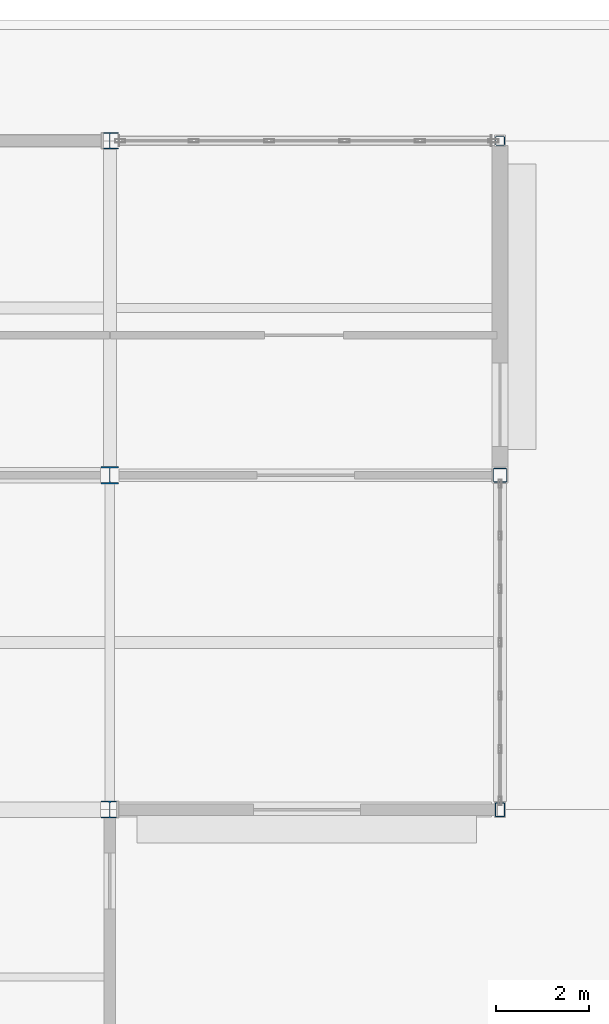
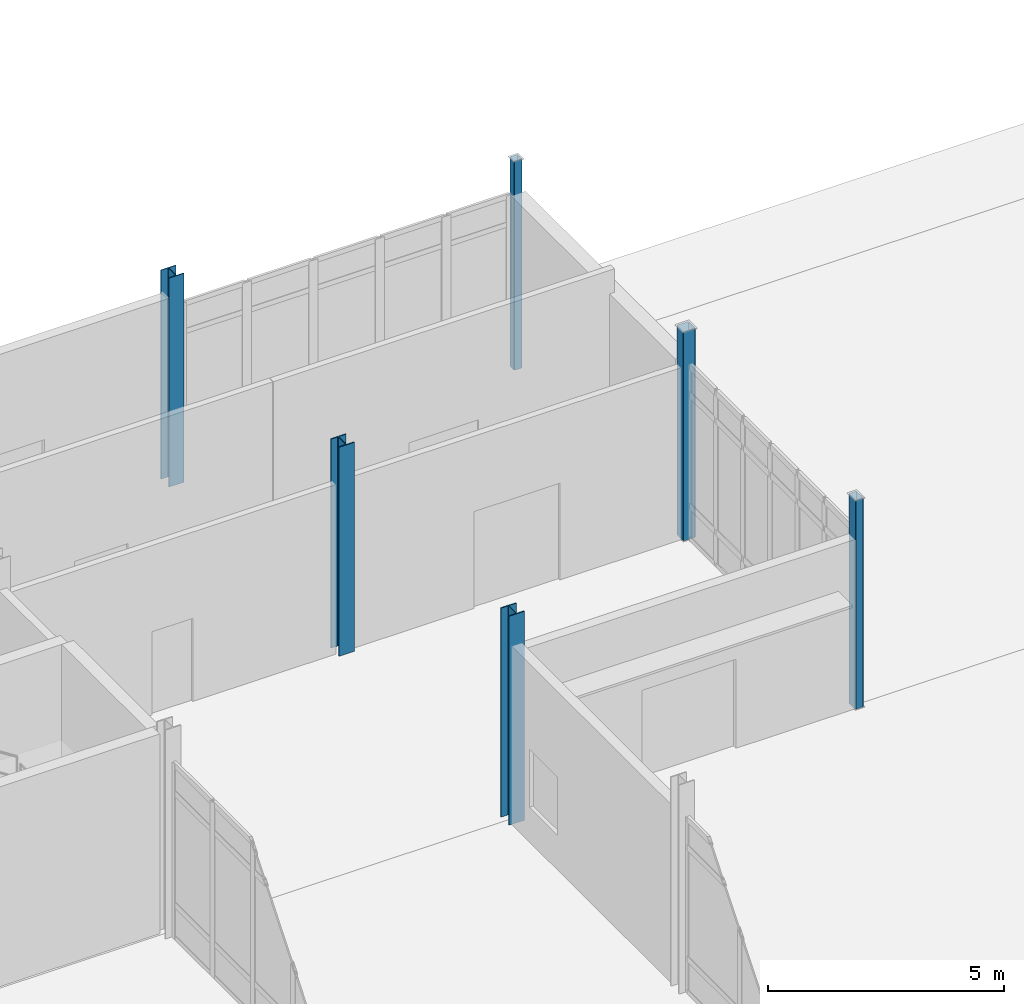
# One storey, part 16 of 229: 6 columns.
"""IFC4 building model written with IfcOpenShell, lengths in metres."""

from ifc_helpers import new_model, si_unit, direction, frame, origin, origin_2d, place, context, subcontext, project, spatial, hollow_rectangle, i_section, extrude, material, material_profile, profile_set, type_object, element, save


model = new_model("IFC4")

# Units and contexts
model_context = context("Model", 3, precision=1e-05, world=origin(), true_north=direction((0.0, 1.0)))
body_context = subcontext(model_context, "Body", "Model", "MODEL_VIEW")
ifc_project = project(units=[si_unit("LENGTHUNIT", "METRE"), si_unit("AREAUNIT", "SQUARE_METRE"), si_unit("VOLUMEUNIT", "CUBIC_METRE"), si_unit("PLANEANGLEUNIT", "RADIAN"), si_unit("MASSUNIT", "GRAM", prefix="KILO")], contexts=[model_context])

# Site, building, storey
site_placement = place(None, origin())
site = spatial("IfcSite", under=ifc_project, at=site_placement, CompositionType="ELEMENT")
building_placement = place(site_placement, origin())
building = spatial("IfcBuilding", under=site, at=building_placement, Name="Calvrana Isthmian Art Gallery", CompositionType="ELEMENT")
storey_placement = place(building_placement, origin())
storey = spatial("IfcBuildingStorey", under=building, at=storey_placement, Name="L00", CompositionType="ELEMENT", Elevation=0.0)

# Columns
ifc_material_1 = material(Name="Steel ASTM A500 Gr C", Category="steel")
ifc_material_profile_1 = material_profile(ifc_material_1, hollow_rectangle(XDim=0.203125, YDim=0.203125, WallThickness=0.0126953125, OuterFilletRadius=0.02490234375, at=origin_2d()), Name="HSS203X203X12.7")
ifc_profile_set_1 = profile_set([ifc_material_profile_1], Name="Steel ASTM A500 Gr C")
column_type_1 = type_object("IfcColumnType", Name="COL-STL-HSS203X203X12.7", PredefinedType="COLUMN", material=ifc_profile_set_1)
column_1_placement = place(storey_placement, frame((72.0, 112.800048828125, 0.0), z_axis=(0.0, 0.0, 1.0), x_axis=(1.0, 0.0, 0.0)))
element("IfcColumn", 1, at=column_1_placement, inside=storey, type_object=column_type_1, Name="Column 10/P L00", PredefinedType="COLUMN", context=body_context, shape_type="SweptSolid", body=[
    extrude(hollow_rectangle(XDim=0.203125, YDim=0.203125, WallThickness=0.0126953125, OuterFilletRadius=0.02490234375, at=origin_2d()), origin(), (0.0, 0.0, 1.0), 5.39990234375),
])
ifc_material_profile_2 = material_profile(ifc_material_1, hollow_rectangle(XDim=0.203125, YDim=0.3046875, WallThickness=0.0126953125, OuterFilletRadius=0.02490234375, at=origin_2d()), Name="HSS305X203X12.7")
ifc_profile_set_2 = profile_set([ifc_material_profile_2], Name="Steel ASTM A500 Gr C")
column_type_2 = type_object("IfcColumnType", Name="COL-STL-HSS305X203X12.7", PredefinedType="COLUMN", material=ifc_profile_set_2)
column_2_placement = place(storey_placement, frame((72.0, 98.39990234375, 0.0), z_axis=(0.0, 0.0, 1.0), x_axis=(1.0, 0.0, 0.0)))
element("IfcColumn", 2, at=column_2_placement, inside=storey, type_object=column_type_2, Name="Column 10/N L00", PredefinedType="COLUMN", context=body_context, shape_type="SweptSolid", body=[
    extrude(hollow_rectangle(XDim=0.203125, YDim=0.3046875, WallThickness=0.0126953125, OuterFilletRadius=0.02490234375, at=origin_2d()), origin(), (0.0, 0.0, 1.0), 5.39990234375),
])
ifc_material_profile_3 = material_profile(ifc_material_1, hollow_rectangle(XDim=0.3046875, YDim=0.3046875, WallThickness=0.015869140625, OuterFilletRadius=0.031982421875, at=origin_2d()), Name="HSS305X305X15.9")
ifc_profile_set_3 = profile_set([ifc_material_profile_3], Name="Steel ASTM A500 Gr C")
column_type_3 = type_object("IfcColumnType", Name="COL-STL-HSS305X305X15.9", PredefinedType="COLUMN", material=ifc_profile_set_3)
column_3_placement = place(storey_placement, frame((72.0, 105.60009765625, 0.0), z_axis=(0.0, 0.0, 1.0), x_axis=(1.0, 0.0, 0.0)))
element("IfcColumn", 3, at=column_3_placement, inside=storey, type_object=column_type_3, Name="Column 10/O L00", PredefinedType="COLUMN", context=body_context, shape_type="SweptSolid", body=[
    extrude(hollow_rectangle(XDim=0.3046875, YDim=0.3046875, WallThickness=0.015869140625, OuterFilletRadius=0.031982421875, at=origin_2d()), origin(), (0.0, 0.0, 1.0), 5.39990234375),
])
ifc_material_2 = material(Name="Steel ASTM A992 Gr 50", Category="steel")
ifc_material_profile_4 = material_profile(ifc_material_2, i_section(OverallWidth=0.373046875, OverallDepth=0.367919921875, WebThickness=0.014892578125, FlangeThickness=0.02392578125, FilletRadius=0.02490234375, at=origin_2d()), Name="W14X120")
ifc_profile_set_4 = profile_set([ifc_material_profile_4], Name="Steel ASTM A992 Gr 50")
column_type_4 = type_object("IfcColumnType", Name="COL-STL-W14X120", PredefinedType="COLUMN", material=ifc_profile_set_4)
column_4_placement = place(storey_placement, frame((63.60009765625, 98.39990234375, 0.0), z_axis=(0.0, 0.0, 1.0), x_axis=(1.0, 0.0, 0.0)))
element("IfcColumn", 4, at=column_4_placement, inside=storey, type_object=column_type_4, Name="Column 09/N L00", PredefinedType="COLUMN", context=body_context, shape_type="SweptSolid", body=[
    extrude(i_section(OverallWidth=0.373046875, OverallDepth=0.367919921875, WebThickness=0.014892578125, FlangeThickness=0.02392578125, FilletRadius=0.02490234375, at=origin_2d()), origin(), (0.0, 0.0, 1.0), 5.39990234375),
])
ifc_material_profile_5 = material_profile(ifc_material_2, i_section(OverallWidth=0.373046875, OverallDepth=0.373046875, WebThickness=0.016357421875, FlangeThickness=0.026123046875, FilletRadius=0.02490234375, at=origin_2d()), Name="W14X132")
ifc_profile_set_5 = profile_set([ifc_material_profile_5], Name="Steel ASTM A992 Gr 50")
column_type_5 = type_object("IfcColumnType", Name="COL-STL-W14X132", PredefinedType="COLUMN", material=ifc_profile_set_5)
column_5_placement = place(storey_placement, frame((63.60009765625, 105.60009765625, 0.0), z_axis=(0.0, 0.0, 1.0), x_axis=(1.0, 0.0, 0.0)))
element("IfcColumn", 5, at=column_5_placement, inside=storey, type_object=column_type_5, Name="Column 09/O L00", PredefinedType="COLUMN", context=body_context, shape_type="SweptSolid", body=[
    extrude(i_section(OverallWidth=0.373046875, OverallDepth=0.373046875, WebThickness=0.016357421875, FlangeThickness=0.026123046875, FilletRadius=0.02490234375, at=origin_2d()), origin(), (0.0, 0.0, 1.0), 5.39990234375),
])
ifc_material_profile_6 = material_profile(ifc_material_2, i_section(OverallWidth=0.367919921875, OverallDepth=0.35595703125, WebThickness=0.01123046875, FlangeThickness=0.01806640625, FilletRadius=0.02490234375, at=origin_2d()), Name="W14X90")
ifc_profile_set_6 = profile_set([ifc_material_profile_6], Name="Steel ASTM A992 Gr 50")
column_type_6 = type_object("IfcColumnType", Name="COL-STL-W14X90", PredefinedType="COLUMN", material=ifc_profile_set_6)
column_6_placement = place(storey_placement, frame((63.60009765625, 112.800048828125, 0.0), z_axis=(0.0, 0.0, 1.0), x_axis=(1.0, 0.0, 0.0)))
element("IfcColumn", 6, at=column_6_placement, inside=storey, type_object=column_type_6, Name="Column 09/P L00", PredefinedType="COLUMN", context=body_context, shape_type="SweptSolid", body=[
    extrude(i_section(OverallWidth=0.367919921875, OverallDepth=0.35595703125, WebThickness=0.01123046875, FlangeThickness=0.01806640625, FilletRadius=0.02490234375, at=origin_2d()), origin(), (0.0, 0.0, 1.0), 5.39990234375),
])

save(model, "model.ifc")
